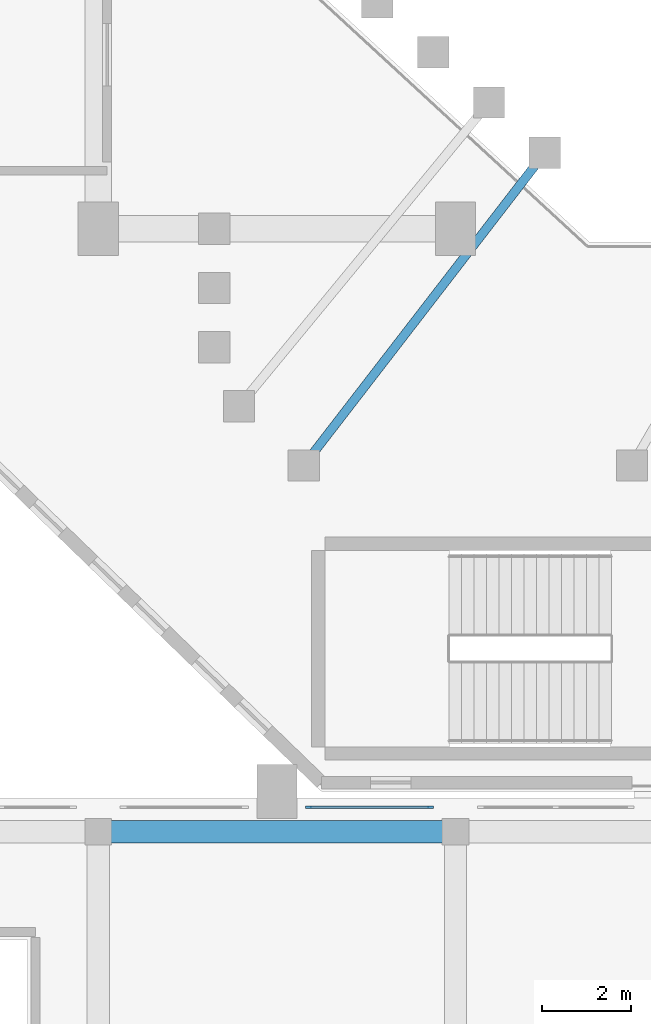
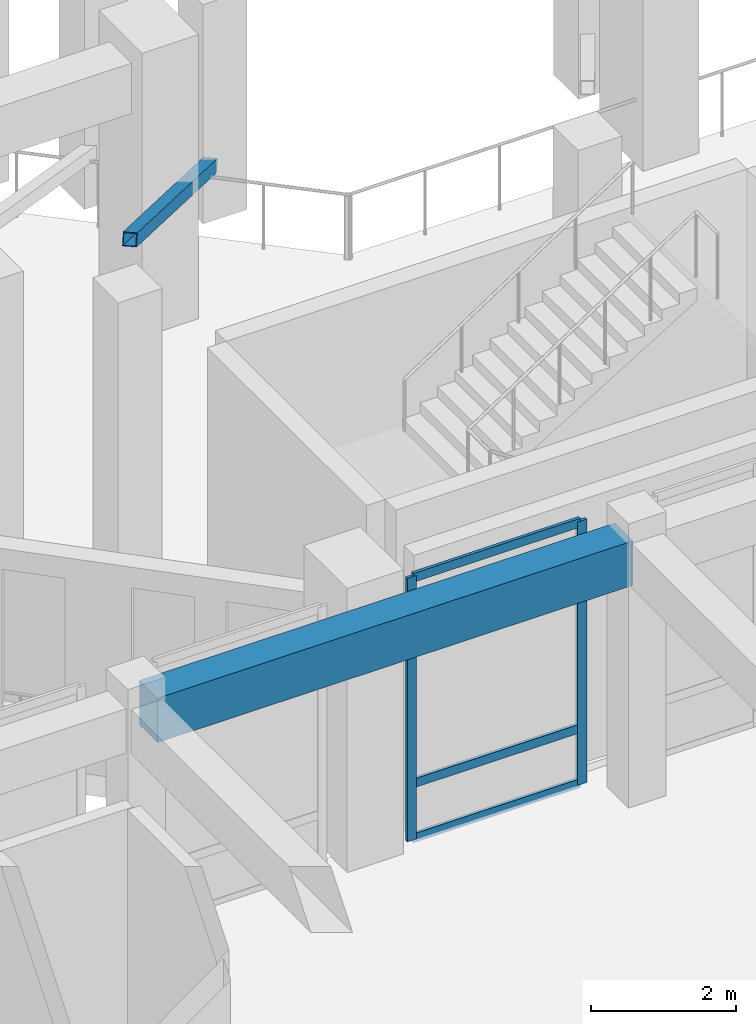
# One storey, part 17 of 126: 6 members, 1 beam, 1 element without a shape of its own.
"""IFC4 building model written with IfcOpenShell, lengths in metres."""

from ifc_helpers import new_model, si_unit, derived_unit, direction, frame, origin, origin_2d, place, context, subcontext, project, spatial, rectangle, hollow_rectangle, extrude, material, layer, layer_set, material_profile, profile_set, type_object, element, aggregate, save


model = new_model("IFC4")

# Units and contexts
model_context = context("Model", 3, precision=1e-05, world=origin(), true_north=direction((0.0, 1.0)))
body_context = subcontext(model_context, "Body", "Model", "MODEL_VIEW")
ifc_project = project(units=[si_unit("LENGTHUNIT", "METRE"), si_unit("AREAUNIT", "SQUARE_METRE"), si_unit("VOLUMEUNIT", "CUBIC_METRE"), si_unit("PLANEANGLEUNIT", "RADIAN"), si_unit("MASSUNIT", "GRAM", prefix="KILO"), derived_unit("THERMALTRANSMITTANCEUNIT", [(si_unit("MASSUNIT", "GRAM", prefix="KILO"), 1), (si_unit("TIMEUNIT", "SECOND"), -3), (si_unit("THERMODYNAMICTEMPERATUREUNIT", "KELVIN"), -1)])], contexts=[model_context])

# Site, building, storey
site_placement = place(None, origin())
site = spatial("IfcSite", under=ifc_project, at=site_placement, CompositionType="ELEMENT")
building_placement = place(site_placement, origin())
building = spatial("IfcBuilding", under=site, at=building_placement, Name="Valcora Ridge Arena", CompositionType="ELEMENT")
storey_placement = place(building_placement, frame((0.0, 0.0, 11.39990234375)))
storey = spatial("IfcBuildingStorey", under=building, at=storey_placement, Name="L02", CompositionType="ELEMENT", Elevation=11.39990234375)

# Beam
ifc_material_1 = material(Name="Concrete C40/50", Category="concrete")
ifc_material_profile_1 = material_profile(ifc_material_1, rectangle(XDim=0.5, YDim=0.75, at=origin_2d()), Name="RC 500x750")
ifc_profile_set_1 = profile_set([ifc_material_profile_1], Name="Concrete C40/50")
beam_type = type_object("IfcBeamType", Name="TY-BEAM-B-RC500-X", PredefinedType="BEAM", material=ifc_profile_set_1)
beam_placement = place(storey_placement, frame((24.199951171875, 19.10009765625, 4.0751953125), z_axis=(1.0, 0.0, 0.0), x_axis=(0.0, 1.0, 0.0)))
element("IfcBeam", 1, at=beam_placement, inside=storey, type_object=beam_type, Name="B-RC500-X BEM-B-RC500-X-0062", PredefinedType="BEAM", context=body_context, shape_type="SweptSolid", body=[
    extrude(rectangle(XDim=0.5, YDim=0.75, at=origin_2d()), origin(), (0.0, 0.0, 1.0), 7.60009765625),
])

# Curtain wall, members
ifc_material_2 = material(Name="Anodised dark bronze architectural aluminium 6063-T6", Category="aluminium")
ifc_layer = layer(ifc_material_2, 0.14990234375, Name="Anodised dark bronze architectural aluminium 6063-T6")
ifc_layer_set = layer_set([ifc_layer], Name="Anodised dark bronze architectural aluminium 6063-T6")
curtain_wall_type = type_object("IfcCurtainWallType", Name="TY-CURTAINWALL-CW-V4-CLUB-028X44", PredefinedType="NOTDEFINED", material=ifc_layer_set)
curtain_wall_placement = place(storey_placement, origin())
curtain_wall = element("IfcCurtainWall", 2, at=curtain_wall_placement, inside=storey, type_object=curtain_wall_type, Name="CW-V4-CLUB-028X44 CW-0252", PredefinedType="NOTDEFINED")
ifc_material_profile_2 = material_profile(ifc_material_2, rectangle(XDim=0.050048828125, YDim=0.14990234375, at=origin_2d()), Name="ALU MULLION 50x150")
ifc_profile_set_2 = profile_set([ifc_material_profile_2], Name="Anodised dark bronze architectural aluminium 6063-T6")
member_type_1 = type_object("IfcMemberType", Name="TY-MEM-CWM-50x150", PredefinedType="MULLION", material=ifc_profile_set_2)
member_1_placement = place(storey_placement, frame((28.715087890625, 19.64990234375, 0.0), z_axis=(0.0, 0.0, 1.0), x_axis=(0.0, 1.0, 0.0)))
member_1 = element("IfcMember", 3, at=member_1_placement, type_object=member_type_1, Name="CW-0252/CWM-50x150/M00", PredefinedType="MULLION", context=body_context, shape_type="SweptSolid", body=[
    extrude(rectangle(XDim=0.050048828125, YDim=0.14990234375, at=origin_2d()), origin(), (0.0, 0.0, 1.0), 4.4501953125),
])
member_2_placement = place(storey_placement, frame((31.43505859375, 19.64990234375, 0.0), z_axis=(0.0, 0.0, 1.0), x_axis=(0.0, 1.0, 0.0)))
member_2 = element("IfcMember", 4, at=member_2_placement, type_object=member_type_1, Name="CW-0252/CWM-50x150/M01", PredefinedType="MULLION", context=body_context, shape_type="SweptSolid", body=[
    extrude(rectangle(XDim=0.050048828125, YDim=0.14990234375, at=origin_2d()), origin(), (0.0, 0.0, 1.0), 4.4501953125),
])
ifc_material_profile_3 = material_profile(ifc_material_2, rectangle(XDim=0.050048828125, YDim=0.14990234375, at=origin_2d()), Name="ALU TRANSOM 50x150")
ifc_profile_set_3 = profile_set([ifc_material_profile_3], Name="Anodised dark bronze architectural aluminium 6063-T6")
member_type_2 = type_object("IfcMemberType", Name="TY-MEM-CWT-50x150", PredefinedType="USERDEFINED", material=ifc_profile_set_3)
member_3_placement = place(storey_placement, frame((28.739990234375, 19.64990234375, 0.025146484375), z_axis=(1.0, 0.0, 0.0), x_axis=(0.0, 1.0, 0.0)))
member_3 = element("IfcMember", 5, at=member_3_placement, type_object=member_type_2, Name="CW-0252/CWT-50x150/T00-00", ObjectType="TRANSOM", PredefinedType="USERDEFINED", context=body_context, shape_type="SweptSolid", body=[
    extrude(rectangle(XDim=0.050048828125, YDim=0.14990234375, at=origin_2d()), origin(), (0.0, 0.0, 1.0), 2.669921875),
])
member_4_placement = place(storey_placement, frame((28.739990234375, 19.64990234375, 0.9501953125), z_axis=(1.0, 0.0, 0.0), x_axis=(0.0, 1.0, 0.0)))
member_4 = element("IfcMember", 6, at=member_4_placement, type_object=member_type_2, Name="CW-0252/CWT-50x150/T00-01", ObjectType="TRANSOM", PredefinedType="USERDEFINED", context=body_context, shape_type="SweptSolid", body=[
    extrude(rectangle(XDim=0.050048828125, YDim=0.14990234375, at=origin_2d()), origin(), (0.0, 0.0, 1.0), 2.669921875),
])
member_5_placement = place(storey_placement, frame((28.739990234375, 19.64990234375, 4.425048828125), z_axis=(1.0, 0.0, 0.0), x_axis=(0.0, 1.0, 0.0)))
member_5 = element("IfcMember", 7, at=member_5_placement, type_object=member_type_2, Name="CW-0252/CWT-50x150/T00-02", ObjectType="TRANSOM", PredefinedType="USERDEFINED", context=body_context, shape_type="SweptSolid", body=[
    extrude(rectangle(XDim=0.050048828125, YDim=0.14990234375, at=origin_2d()), origin(), (0.0, 0.0, 1.0), 2.669921875),
])
aggregate(curtain_wall, [member_1, member_2, member_3, member_4, member_5])

# Member
ifc_material_3 = material(Name="Steel ASTM A500 Grade C", Category="steel")
ifc_material_profile_4 = material_profile(ifc_material_3, hollow_rectangle(XDim=0.199951171875, YDim=0.199951171875, WallThickness=0.012451171875, at=origin_2d()), Name="HSS200X200X12")
ifc_profile_set_4 = profile_set([ifc_material_profile_4], Name="Steel ASTM A500 Grade C")
member_type_3 = type_object("IfcMemberType", Name="TY-MEMBER-RKRUD-200", PredefinedType="BRACE", material=ifc_profile_set_4)
member_6_placement = place(storey_placement, frame((33.849609375, 34.105224609375, 0.833740234375), z_axis=(-0.536787845456, -0.695842758825, 0.477139040491), x_axis=(0.79178508408, -0.610799787679, 0.0)))
element("IfcMember", 8, at=member_6_placement, inside=storey, type_object=member_type_3, Name="RKRUD-200 Raker Diagonal Brace", PredefinedType="BRACE", context=body_context, shape_type="SweptSolid", body=[
    extrude(hollow_rectangle(XDim=0.199951171875, YDim=0.199951171875, WallThickness=0.012451171875, at=origin_2d()), origin(), (0.0, 0.0, 1.0), 9.499755859375),
])

save(model, "model.ifc")
